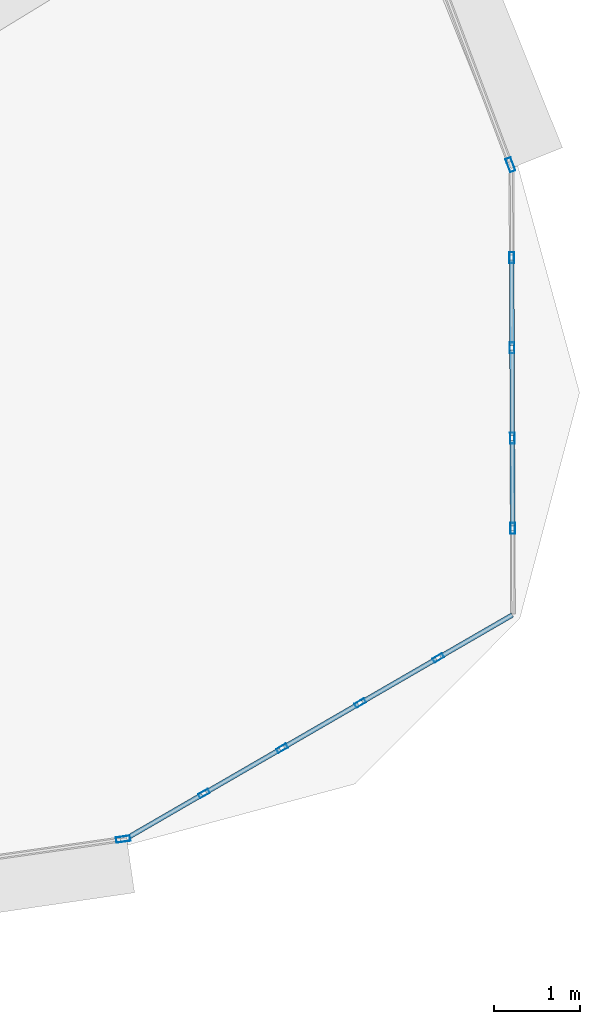
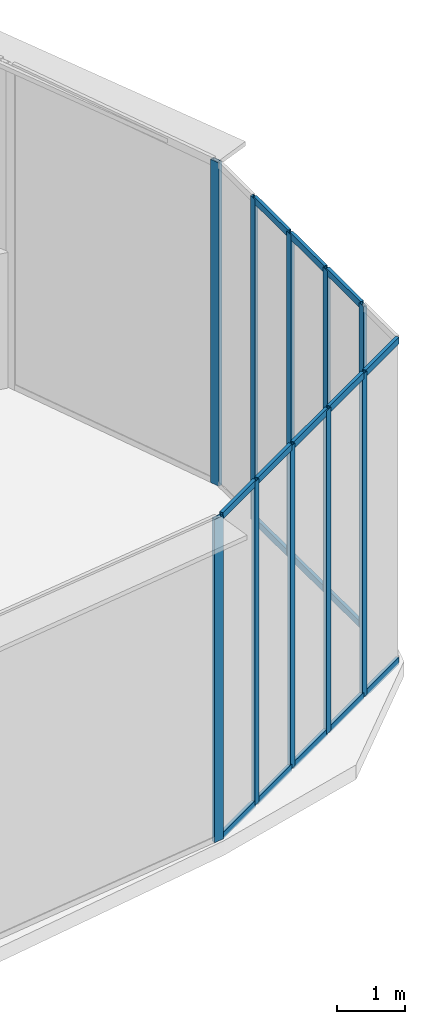
# One storey, part 22 of 41: 26 members, 4 elements without a shape of their own.
"""IFC4 building model written with IfcOpenShell, lengths in metres."""

from ifc_helpers import new_model, si_unit, direction, frame, origin, origin_2d, place, context, subcontext, project, spatial, hollow_rectangle, extrude, source, transform, mapped, material, layer, layer_set, material_profile, profile_set, type_object, element, aggregate, save


model = new_model("IFC4")

# Units and contexts
model_context = context("Model", 3, precision=1e-05, world=origin(), true_north=direction((0.0, 1.0)))
body_context = subcontext(model_context, "Body", "Model", "MODEL_VIEW")
ifc_project = project(units=[si_unit("LENGTHUNIT", "METRE"), si_unit("AREAUNIT", "SQUARE_METRE"), si_unit("VOLUMEUNIT", "CUBIC_METRE"), si_unit("PLANEANGLEUNIT", "RADIAN"), si_unit("MASSUNIT", "GRAM", prefix="KILO"), si_unit("THERMODYNAMICTEMPERATUREUNIT", "KELVIN"), si_unit("POWERUNIT", "WATT")], contexts=[model_context])

# Site, building, storey
site_placement = place(None, origin())
site = spatial("IfcSite", under=ifc_project, at=site_placement, CompositionType="ELEMENT")
building_placement = place(site_placement, origin())
building = spatial("IfcBuilding", under=site, at=building_placement, Name="Yunzhuo Pagoda Commons", CompositionType="ELEMENT")
storey_placement = place(building_placement, frame((0.0, 0.0, 70.330078125)))
storey = spatial("IfcBuildingStorey", under=building, at=storey_placement, Name="L18", CompositionType="ELEMENT", Elevation=70.330078125)

# Curtain wall, members
ifc_material = material(Name="Anodized aluminium 6063-T6", Category="aluminium")
ifc_layer_1 = layer(ifc_material, 0.1298828125)
ifc_layer_set_1 = layer_set([ifc_layer_1], Name="Anodized aluminium 6063-T6")
curtain_wall_type_1 = type_object("IfcCurtainWallType", Name="CW-VTX Rounded Corner Curtain Wall", PredefinedType="NOTDEFINED", material=ifc_layer_set_1)
curtain_wall_1_placement = place(storey_placement, origin())
curtain_wall_1 = element("IfcCurtainWall", 1, at=curtain_wall_1_placement, inside=storey, type_object=curtain_wall_type_1, Name="L18 curtain wall CW-L18-VTX2S1", PredefinedType="NOTDEFINED")
ifc_material_profile_1 = material_profile(ifc_material, hollow_rectangle(XDim=0.054931640625, YDim=0.1201171875, WallThickness=0.00341796875, at=origin_2d()), Name="Anodized aluminium 6063-T6")
ifc_profile_set_1 = profile_set([ifc_material_profile_1], Name="Anodized aluminium 6063-T6")
member_type_1 = type_object("IfcMemberType", Name="CW-VTX-T Transom RHS 120x55x3.5", PredefinedType="USERDEFINED", material=ifc_profile_set_1)
shared_shape_1 = source(origin(), body_context, "Body", "SweptSolid", [
    extrude(hollow_rectangle(XDim=0.054931640625, YDim=0.1201171875, WallThickness=0.00341796875, at=origin_2d()), origin(), (0.0, 0.0, 1.0), 0.999267578125),
])
member_1_placement = place(storey_placement, frame((86.930419921875, 15.407470703125, 0.02734375), z_axis=(0.86538725222, 0.501103685574, 0.0), x_axis=(-0.501103685574, 0.86538725222, 0.0)))
member_1 = element("IfcMember", 2, at=member_1_placement, type_object=member_type_1, Name="CW transom 2.1", ObjectType="TRANSOM", PredefinedType="USERDEFINED", context=body_context, shape_type="MappedRepresentation", body=[
    mapped(shared_shape_1, transform((0.0, 0.0, 0.0), scale=1.0)),
])
member_2_placement = place(storey_placement, frame((86.930419921875, 15.407470703125, 5.742431640625), z_axis=(0.86538725222, 0.501103685574, 0.0), x_axis=(-0.501103685574, 0.86538725222, 0.0)))
member_2 = element("IfcMember", 3, at=member_2_placement, type_object=member_type_1, Name="CW transom 2.2", ObjectType="TRANSOM", PredefinedType="USERDEFINED", context=body_context, shape_type="MappedRepresentation", body=[
    mapped(shared_shape_1, transform((0.0, 0.0, 0.0), scale=1.0)),
])
member_3_placement = place(storey_placement, frame((88.755126953125, 16.4638671875, 0.02734375), z_axis=(0.86538725222, 0.501103685574, 0.0), x_axis=(-0.501103685574, 0.86538725222, 0.0)))
member_3 = element("IfcMember", 4, at=member_3_placement, type_object=member_type_1, Name="CW transom 4.1", ObjectType="TRANSOM", PredefinedType="USERDEFINED", context=body_context, shape_type="MappedRepresentation", body=[
    mapped(shared_shape_1, transform((0.0, 0.0, 0.0), scale=1.0)),
])
member_4_placement = place(storey_placement, frame((88.755126953125, 16.4638671875, 5.742431640625), z_axis=(0.86538725222, 0.501103685574, 0.0), x_axis=(-0.501103685574, 0.86538725222, 0.0)))
member_4 = element("IfcMember", 5, at=member_4_placement, type_object=member_type_1, Name="CW transom 4.2", ObjectType="TRANSOM", PredefinedType="USERDEFINED", context=body_context, shape_type="MappedRepresentation", body=[
    mapped(shared_shape_1, transform((0.0, 0.0, 0.0), scale=1.0)),
])

curtain_wall_2_placement = place(storey_placement, origin())
curtain_wall_2 = element("IfcCurtainWall", 6, at=curtain_wall_2_placement, inside=storey, type_object=curtain_wall_type_1, Name="L18 curtain wall CW-L18-VTX2S2", PredefinedType="NOTDEFINED")
member_5_placement = place(storey_placement, frame((90.51220703125, 18.518798828125, 0.02734375), z_axis=(-0.00366476894, 0.999993284712, 0.0), x_axis=(-0.999993284712, -0.00366476894, 0.0)))
member_5 = element("IfcMember", 7, at=member_5_placement, type_object=member_type_1, Name="CW transom 2.1", ObjectType="TRANSOM", PredefinedType="USERDEFINED", context=body_context, shape_type="MappedRepresentation", body=[
    mapped(shared_shape_1, transform((0.0, 0.0, 0.0), scale=1.0)),
])
member_6_placement = place(storey_placement, frame((90.51220703125, 18.518798828125, 5.742431640625), z_axis=(-0.00366476894, 0.999993284712, 0.0), x_axis=(-0.999993284712, -0.00366476894, 0.0)))
member_6 = element("IfcMember", 8, at=member_6_placement, type_object=member_type_1, Name="CW transom 2.2", ObjectType="TRANSOM", PredefinedType="USERDEFINED", context=body_context, shape_type="MappedRepresentation", body=[
    mapped(shared_shape_1, transform((0.0, 0.0, 0.0), scale=1.0)),
])
member_7_placement = place(storey_placement, frame((90.50830078125, 19.572998046875, 0.02734375), z_axis=(-0.00366476894, 0.999993284712, 0.0), x_axis=(-0.999993284712, -0.00366476894, 0.0)))
member_7 = element("IfcMember", 9, at=member_7_placement, type_object=member_type_1, Name="CW transom 3.1", ObjectType="TRANSOM", PredefinedType="USERDEFINED", context=body_context, shape_type="MappedRepresentation", body=[
    mapped(shared_shape_1, transform((0.0, 0.0, 0.0), scale=1.0)),
])
member_8_placement = place(storey_placement, frame((90.50830078125, 19.572998046875, 5.742431640625), z_axis=(-0.00366476894, 0.999993284712, 0.0), x_axis=(-0.999993284712, -0.00366476894, 0.0)))
member_8 = element("IfcMember", 10, at=member_8_placement, type_object=member_type_1, Name="CW transom 3.2", ObjectType="TRANSOM", PredefinedType="USERDEFINED", context=body_context, shape_type="MappedRepresentation", body=[
    mapped(shared_shape_1, transform((0.0, 0.0, 0.0), scale=1.0)),
])
member_9_placement = place(storey_placement, frame((90.504638671875, 20.627197265625, 0.02734375), z_axis=(-0.00366476894, 0.999993284712, 0.0), x_axis=(-0.999993284712, -0.00366476894, 0.0)))
member_9 = element("IfcMember", 11, at=member_9_placement, type_object=member_type_1, Name="CW transom 4.1", ObjectType="TRANSOM", PredefinedType="USERDEFINED", context=body_context, shape_type="MappedRepresentation", body=[
    mapped(shared_shape_1, transform((0.0, 0.0, 0.0), scale=1.0)),
])
member_10_placement = place(storey_placement, frame((90.504638671875, 20.627197265625, 5.742431640625), z_axis=(-0.00366476894, 0.999993284712, 0.0), x_axis=(-0.999993284712, -0.00366476894, 0.0)))
member_10 = element("IfcMember", 12, at=member_10_placement, type_object=member_type_1, Name="CW transom 4.2", ObjectType="TRANSOM", PredefinedType="USERDEFINED", context=body_context, shape_type="MappedRepresentation", body=[
    mapped(shared_shape_1, transform((0.0, 0.0, 0.0), scale=1.0)),
])

# Member
shared_shape_2 = source(origin(), body_context, "Body", "SweptSolid", [
    extrude(hollow_rectangle(XDim=0.054931640625, YDim=0.1201171875, WallThickness=0.00341796875, at=origin_2d()), origin(), (0.0, 0.0, 1.0), 0.97216796875),
])
member_11_placement = place(storey_placement, frame((86.041748046875, 14.89306640625, 0.02734375), z_axis=(0.865432016859, 0.501026370758, 0.0), x_axis=(-0.501026370758, 0.865432016859, 0.0)))
member_11 = element("IfcMember", 13, at=member_11_placement, type_object=member_type_1, Name="CW transom 1.1", ObjectType="TRANSOM", PredefinedType="USERDEFINED", context=body_context, shape_type="MappedRepresentation", body=[
    mapped(shared_shape_2, transform((0.0, 0.0, 0.0), scale=1.0)),
])

member_12_placement = place(storey_placement, frame((86.041748046875, 14.89306640625, 5.742431640625), z_axis=(0.865432016859, 0.501026370758, 0.0), x_axis=(-0.501026370758, 0.865432016859, 0.0)))
member_12 = element("IfcMember", 14, at=member_12_placement, type_object=member_type_1, Name="CW transom 1.2", ObjectType="TRANSOM", PredefinedType="USERDEFINED", context=body_context, shape_type="MappedRepresentation", body=[
    mapped(shared_shape_2, transform((0.0, 0.0, 0.0), scale=1.0)),
])

shared_shape_3 = source(origin(), body_context, "Body", "SweptSolid", [
    extrude(hollow_rectangle(XDim=0.054931640625, YDim=0.1201171875, WallThickness=0.00341796875, at=origin_2d()), origin(), (0.0, 0.0, 1.0), 0.99951171875),
])
member_13_placement = place(storey_placement, frame((87.8427734375, 15.935791015625, 0.02734375), z_axis=(0.86544858313, 0.500997754445, 0.0), x_axis=(-0.500997754445, 0.86544858313, 0.0)))
member_13 = element("IfcMember", 15, at=member_13_placement, type_object=member_type_1, Name="CW transom 3.1", ObjectType="TRANSOM", PredefinedType="USERDEFINED", context=body_context, shape_type="MappedRepresentation", body=[
    mapped(shared_shape_3, transform((0.0, 0.0, 0.0), scale=1.0)),
])

member_14_placement = place(storey_placement, frame((87.8427734375, 15.935791015625, 5.742431640625), z_axis=(0.86544858313, 0.500997754445, 0.0), x_axis=(-0.500997754445, 0.86544858313, 0.0)))
member_14 = element("IfcMember", 16, at=member_14_placement, type_object=member_type_1, Name="CW transom 3.2", ObjectType="TRANSOM", PredefinedType="USERDEFINED", context=body_context, shape_type="MappedRepresentation", body=[
    mapped(shared_shape_3, transform((0.0, 0.0, 0.0), scale=1.0)),
])

shared_shape_4 = source(origin(), body_context, "Body", "SweptSolid", [
    extrude(hollow_rectangle(XDim=0.054931640625, YDim=0.1201171875, WallThickness=0.00341796875, at=origin_2d()), origin(), (0.0, 0.0, 1.0), 0.97119140625),
])
member_15_placement = place(storey_placement, frame((89.667724609375, 16.992431640625, 0.02734375), z_axis=(0.865460703151, 0.50097681713, 0.0), x_axis=(-0.50097681713, 0.865460703151, 0.0)))
member_15 = element("IfcMember", 17, at=member_15_placement, type_object=member_type_1, Name="CW transom 5.1", ObjectType="TRANSOM", PredefinedType="USERDEFINED", context=body_context, shape_type="MappedRepresentation", body=[
    mapped(shared_shape_4, transform((0.0, 0.0, 0.0), scale=1.0)),
])

member_16_placement = place(storey_placement, frame((89.667724609375, 16.992431640625, 5.742431640625), z_axis=(0.865460703151, 0.50097681713, 0.0), x_axis=(-0.50097681713, 0.865460703151, 0.0)))
member_16 = element("IfcMember", 18, at=member_16_placement, type_object=member_type_1, Name="CW transom 5.2", ObjectType="TRANSOM", PredefinedType="USERDEFINED", context=body_context, shape_type="MappedRepresentation", body=[
    mapped(shared_shape_4, transform((0.0, 0.0, 0.0), scale=1.0)),
])

# Curtain wall, member
ifc_layer_2 = layer(ifc_material, 0.1650390625)
ifc_layer_set_2 = layer_set([ifc_layer_2], Name="Anodized aluminium 6063-T6")
curtain_wall_type_2 = type_object("IfcCurtainWallType", Name="CW-LOW Low-Zone Ribbon Curtain Wall", PredefinedType="NOTDEFINED", material=ifc_layer_set_2)
curtain_wall_3_placement = place(storey_placement, origin())
curtain_wall_3 = element("IfcCurtainWall", 19, at=curtain_wall_3_placement, inside=storey, type_object=curtain_wall_type_2, Name="L18 curtain wall CW-L18-F1B5", PredefinedType="NOTDEFINED")
ifc_material_profile_2 = material_profile(ifc_material, hollow_rectangle(XDim=0.06494140625, YDim=0.1650390625, WallThickness=0.00390625, at=origin_2d()), Name="Anodized aluminium 6063-T6")
ifc_profile_set_2 = profile_set([ifc_material_profile_2], Name="Anodized aluminium 6063-T6")
member_type_2 = type_object("IfcMemberType", Name="CW-LOW-M Mullion RHS 165x65x4", PredefinedType="MULLION", material=ifc_profile_set_2)
shared_shape_5 = source(origin(), body_context, "Body", "SweptSolid", [
    extrude(hollow_rectangle(XDim=0.06494140625, YDim=0.1650390625, WallThickness=0.00390625, at=origin_2d()), origin(), (0.0, 0.0, 1.0), 5.77001953125),
])
member_17_placement = place(storey_placement, frame((85.9619140625, 14.861083984375, 0.0), z_axis=(0.0, 0.0, 1.0), x_axis=(-0.141139872999, 0.989989664719, 0.0)))
member_17 = element("IfcMember", 20, at=member_17_placement, type_object=member_type_2, Name="CW mullion 2", PredefinedType="MULLION", context=body_context, shape_type="MappedRepresentation", body=[
    mapped(shared_shape_5, transform((0.0, 0.0, 0.0), scale=1.0)),
])
aggregate(curtain_wall_3, [member_17])

curtain_wall_4_placement = place(storey_placement, origin())
curtain_wall_4 = element("IfcCurtainWall", 21, at=curtain_wall_4_placement, inside=storey, type_object=curtain_wall_type_2, Name="L18 curtain wall CW-L18-F2B1", PredefinedType="NOTDEFINED")
member_18_placement = place(storey_placement, frame((90.485595703125, 22.738525390625, 0.0), z_axis=(0.0, 0.0, 1.0), x_axis=(-0.9355133863, -0.353291245367, 0.0)))
member_18 = element("IfcMember", 22, at=member_18_placement, type_object=member_type_2, Name="CW mullion 1", PredefinedType="MULLION", context=body_context, shape_type="MappedRepresentation", body=[
    mapped(shared_shape_5, transform((0.0, 0.0, 0.0), scale=1.0)),
])
aggregate(curtain_wall_4, [member_18])

# Member
ifc_material_profile_3 = material_profile(ifc_material, hollow_rectangle(XDim=0.054931640625, YDim=0.1298828125, WallThickness=0.00341796875, at=origin_2d()), Name="Anodized aluminium 6063-T6")
ifc_profile_set_3 = profile_set([ifc_material_profile_3], Name="Anodized aluminium 6063-T6")
member_type_3 = type_object("IfcMemberType", Name="CW-VTX-M Mullion RHS 130x55x3.5", PredefinedType="MULLION", material=ifc_profile_set_3)
shared_shape_6 = source(origin(), body_context, "Body", "SweptSolid", [
    extrude(hollow_rectangle(XDim=0.054931640625, YDim=0.1298828125, WallThickness=0.00341796875, at=origin_2d()), origin(), (0.0, 0.0, 1.0), 5.77001953125),
])
member_19_placement = place(storey_placement, frame((86.906494140625, 15.393798828125, 0.0), z_axis=(0.0, 0.0, 1.0), x_axis=(-0.501038514064, 0.865424986596, 0.0)))
member_19 = element("IfcMember", 23, at=member_19_placement, type_object=member_type_3, Name="CW mullion 2", PredefinedType="MULLION", context=body_context, shape_type="MappedRepresentation", body=[
    mapped(shared_shape_6, transform((0.0, 0.0, 0.0), scale=1.0)),
])

member_20_placement = place(storey_placement, frame((87.81884765625, 15.922119140625, 0.0), z_axis=(0.0, 0.0, 1.0), x_axis=(-0.501038514064, 0.865424986596, 0.0)))
member_20 = element("IfcMember", 24, at=member_20_placement, type_object=member_type_3, Name="CW mullion 3", PredefinedType="MULLION", context=body_context, shape_type="MappedRepresentation", body=[
    mapped(shared_shape_6, transform((0.0, 0.0, 0.0), scale=1.0)),
])

member_21_placement = place(storey_placement, frame((88.731201171875, 16.4501953125, 0.0), z_axis=(0.0, 0.0, 1.0), x_axis=(-0.501038514064, 0.865424986596, 0.0)))
member_21 = element("IfcMember", 25, at=member_21_placement, type_object=member_type_3, Name="CW mullion 4", PredefinedType="MULLION", context=body_context, shape_type="MappedRepresentation", body=[
    mapped(shared_shape_6, transform((0.0, 0.0, 0.0), scale=1.0)),
])

member_22_placement = place(storey_placement, frame((89.6435546875, 16.978515625, 0.0), z_axis=(0.0, 0.0, 1.0), x_axis=(-0.501038514064, 0.865424986596, 0.0)))
member_22 = element("IfcMember", 26, at=member_22_placement, type_object=member_type_3, Name="CW mullion 5", PredefinedType="MULLION", context=body_context, shape_type="MappedRepresentation", body=[
    mapped(shared_shape_6, transform((0.0, 0.0, 0.0), scale=1.0)),
])

aggregate(curtain_wall_1, [member_19, member_20, member_21, member_22, member_11, member_12, member_1, member_2, member_13, member_14, member_3, member_4, member_15, member_16])

member_23_placement = place(storey_placement, frame((90.51220703125, 18.4912109375, 0.0), z_axis=(0.0, 0.0, 1.0), x_axis=(-0.999993571837, -0.003585566294, 0.0)))
member_23 = element("IfcMember", 27, at=member_23_placement, type_object=member_type_3, Name="CW mullion 2", PredefinedType="MULLION", context=body_context, shape_type="MappedRepresentation", body=[
    mapped(shared_shape_6, transform((0.0, 0.0, 0.0), scale=1.0)),
])

member_24_placement = place(storey_placement, frame((90.508544921875, 19.545654296875, 0.0), z_axis=(0.0, 0.0, 1.0), x_axis=(-0.999993571837, -0.003585566294, 0.0)))
member_24 = element("IfcMember", 28, at=member_24_placement, type_object=member_type_3, Name="CW mullion 3", PredefinedType="MULLION", context=body_context, shape_type="MappedRepresentation", body=[
    mapped(shared_shape_6, transform((0.0, 0.0, 0.0), scale=1.0)),
])

member_25_placement = place(storey_placement, frame((90.504638671875, 20.60009765625, 0.0), z_axis=(0.0, 0.0, 1.0), x_axis=(-0.999993571837, -0.003585566294, 0.0)))
member_25 = element("IfcMember", 29, at=member_25_placement, type_object=member_type_3, Name="CW mullion 4", PredefinedType="MULLION", context=body_context, shape_type="MappedRepresentation", body=[
    mapped(shared_shape_6, transform((0.0, 0.0, 0.0), scale=1.0)),
])

member_26_placement = place(storey_placement, frame((90.5009765625, 21.654052734375, 0.0), z_axis=(0.0, 0.0, 1.0), x_axis=(-0.999993571837, -0.003585566294, 0.0)))
member_26 = element("IfcMember", 30, at=member_26_placement, type_object=member_type_3, Name="CW mullion 5", PredefinedType="MULLION", context=body_context, shape_type="MappedRepresentation", body=[
    mapped(shared_shape_6, transform((0.0, 0.0, 0.0), scale=1.0)),
])

aggregate(curtain_wall_2, [member_23, member_24, member_25, member_26, member_5, member_6, member_7, member_8, member_9, member_10])

save(model, "model.ifc")
